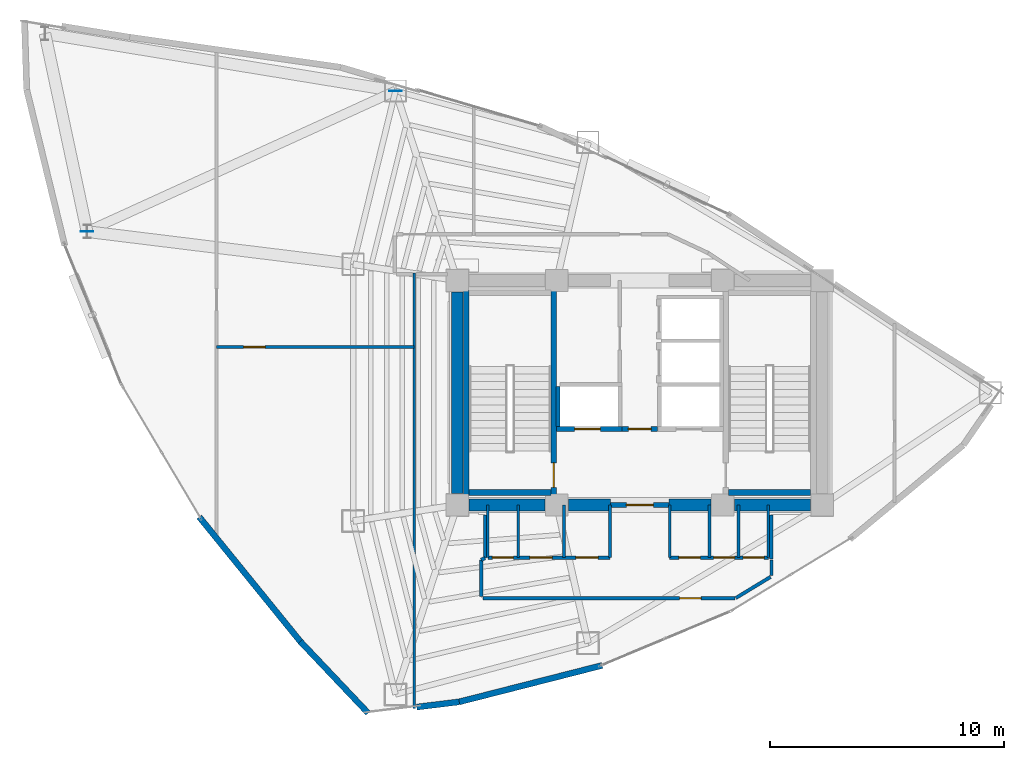
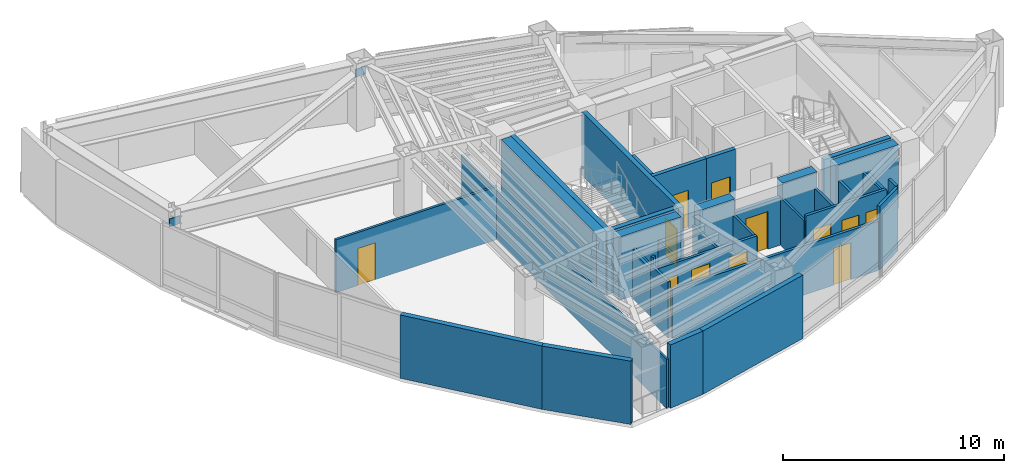
# One storey, part 12 of 16: 36 walls, 12 doors, 2 plates, 12 openings.
"""IFC4 building model written with IfcOpenShell, lengths in metres."""

from ifc_helpers import new_model, si_unit, direction, frame, frame_2d, origin, origin_2d, place, context, subcontext, project, spatial, rectangle, extrude, material, layer, layer_set, type_object, element, fill, save


model = new_model("IFC4")

# Units and contexts
model_context = context("Model", 3, precision=1e-05, world=origin(), true_north=direction((0.0, 1.0)))
body_context = subcontext(model_context, "Body", "Model", "MODEL_VIEW")
ifc_project = project(units=[si_unit("LENGTHUNIT", "METRE"), si_unit("AREAUNIT", "SQUARE_METRE"), si_unit("VOLUMEUNIT", "CUBIC_METRE"), si_unit("PLANEANGLEUNIT", "RADIAN"), si_unit("MASSUNIT", "GRAM", prefix="KILO")], contexts=[model_context])

# Site, building, storey
site_placement = place(None, origin())
site = spatial("IfcSite", under=ifc_project, at=site_placement, CompositionType="ELEMENT")
building_placement = place(site_placement, origin())
building = spatial("IfcBuilding", under=site, at=building_placement, Name="Menara Vayukalpa", CompositionType="ELEMENT")
storey_placement = place(building_placement, frame((0.0, 0.0, 195.239990234375)))
storey = spatial("IfcBuildingStorey", under=building, at=storey_placement, Name="L49", CompositionType="ELEMENT", Elevation=195.239990234375)

# Plates
ifc_material_1 = material(Name="Steel S355", Category="steel")
ifc_layer_1 = layer(ifc_material_1, 0.028076171875)
ifc_layer_set_1 = layer_set([ifc_layer_1], Name="Steel S355")
plate_type = type_object("IfcPlateType", Name="PLT-END1", PredefinedType="USERDEFINED", material=ifc_layer_set_1)
for number, where, z_axis, x_axis, name in (
    (1, (15.15478515625, 34.902587890625, 2.655029296875), (0.0, 0.0, 1.0), (1.0, 0.0, 0.0), "L49 Structural Brace End Gusset Plate 066"),
    (2, (1.96630859375, 28.889404296875, 2.655029296875), (0.0, 0.0, 1.0), (1.0, 0.0, 0.0), "L49 Structural Brace End Gusset Plate 067"),
):
    element("IfcPlate", number, at=place(storey_placement, frame(where, z_axis=z_axis, x_axis=x_axis)), inside=storey, type_object=plate_type, Name=name, ObjectType="GUSSET_PLATE", PredefinedType="USERDEFINED", context=body_context, shape_type="SweptSolid", body=[
        extrude(rectangle(XDim=0.5400390625, YDim=0.028076171875, at=origin_2d()), origin(), (0.0, 0.0, 1.0), 0.43994140625),
    ])

# Walls
ifc_material_2 = material(Name="Concrete C60/75", Category="concrete")
ifc_layer_2 = layer(ifc_material_2, 0.5)
ifc_layer_set_2 = layer_set([ifc_layer_2], Name="Concrete C60/75")
wall_type_1 = type_object("IfcWallType", Name="WAL-CW500", PredefinedType="SHEAR", material=ifc_layer_set_2)
wall_1_placement = place(storey_placement, frame((18.294921875, 17.199951171875, 0.0), z_axis=(0.0, 0.0, 1.0), x_axis=(1.0, 0.0, 0.0)))
element("IfcWall", 3, at=wall_1_placement, inside=storey, type_object=wall_type_1, Name="L49 Buttressed Core Shear Wall CWS1", PredefinedType="SHEAR", context=body_context, shape_type="SweptSolid", body=[
    extrude(rectangle(XDim=3.260009765625, YDim=0.5, at=frame_2d((1.6298828125, 0.0))), origin(), (0.0, 0.0, 1.0), 3.5),
])
wall_2_placement = place(storey_placement, frame((22.544921875, 17.199951171875, 0.0), z_axis=(0.0, 0.0, 1.0), x_axis=(1.0, 0.0, 0.0)))
element("IfcWall", 4, at=wall_2_placement, inside=storey, type_object=wall_type_1, Name="L49 Buttressed Core Shear Wall CWS2", PredefinedType="SHEAR", context=body_context, shape_type="SweptSolid", body=[
    extrude(rectangle(XDim=1.80517578125, YDim=0.5, at=frame_2d((0.902587890625, 0.0))), origin(), (0.0, 0.0, 1.0), 3.5),
])
wall_3_placement = place(storey_placement, frame((26.85009765625, 17.199951171875, 0.0), z_axis=(0.0, 0.0, 1.0), x_axis=(1.0, 0.0, 0.0)))
element("IfcWall", 5, at=wall_3_placement, inside=storey, type_object=wall_type_1, Name="L49 Buttressed Core Shear Wall CWS3", PredefinedType="SHEAR", context=body_context, shape_type="SweptSolid", body=[
    extrude(rectangle(XDim=1.804931640625, YDim=0.5, at=frame_2d((0.90234375, 0.0))), origin(), (0.0, 0.0, 1.0), 3.5),
])
wall_4_placement = place(storey_placement, frame((29.64501953125, 17.199951171875, 0.0), z_axis=(0.0, 0.0, 1.0), x_axis=(1.0, 0.0, 0.0)))
element("IfcWall", 6, at=wall_4_placement, inside=storey, type_object=wall_type_1, Name="L49 Buttressed Core Shear Wall CWS4", PredefinedType="SHEAR", context=body_context, shape_type="SweptSolid", body=[
    extrude(rectangle(XDim=3.260009765625, YDim=0.5, at=frame_2d((1.6298828125, 0.0))), origin(), (0.0, 0.0, 1.0), 3.5),
])
wall_5_placement = place(storey_placement, frame((17.800048828125, 17.695068359375, 0.0), z_axis=(0.0, 0.0, 1.0), x_axis=(0.0, 1.0, 0.0)))
element("IfcWall", 7, at=wall_5_placement, inside=storey, type_object=wall_type_1, Name="L49 Buttressed Core Shear Wall CWW1", PredefinedType="SHEAR", context=body_context, shape_type="SweptSolid", body=[
    extrude(rectangle(XDim=8.60986328125, YDim=0.5, at=frame_2d((4.304931640625, 0.0))), origin(), (0.0, 0.0, 1.0), 3.5),
])
ifc_material_3 = material(Name="Insulated Precast Concrete C40/50", Category="concrete")
ifc_layer_3 = layer(ifc_material_3, 0.260009765625)
ifc_layer_set_3 = layer_set([ifc_layer_3], Name="Insulated Precast Concrete C40/50")
wall_type_2 = type_object("IfcWallType", Name="WAL-EXT260", PredefinedType="PARTITIONING", material=ifc_layer_set_3)
wall_6_placement = place(storey_placement, frame((11.09228515625, 11.352783203125, 0.0), z_axis=(0.0, 0.0, 1.0), x_axis=(-0.630146833264, 0.77647599353, 0.0)))
element("IfcWall", 8, at=wall_6_placement, inside=storey, type_object=wall_type_2, Name="L49 Perimeter Terracotta Pier Wall 15", PredefinedType="PARTITIONING", context=body_context, shape_type="SweptSolid", body=[
    extrude(rectangle(XDim=6.8671875, YDim=0.260009765625, at=frame_2d((3.43359375, 0.0))), origin(), (0.0, 0.0, 1.0), 3.5),
])
wall_7_placement = place(storey_placement, frame((13.982177734375, 8.302978515625, 0.0), z_axis=(0.0, 0.0, 1.0), x_axis=(-0.687757504743, 0.725940503533, 0.0)))
element("IfcWall", 9, at=wall_7_placement, inside=storey, type_object=wall_type_2, Name="L49 Perimeter Terracotta Pier Wall 16", PredefinedType="PARTITIONING", context=body_context, shape_type="SweptSolid", body=[
    extrude(rectangle(XDim=4.213623046875, YDim=0.260009765625, at=frame_2d((2.10693359375, 0.0))), origin(), (0.0, 0.0, 1.0), 3.5),
])
wall_8_placement = place(storey_placement, frame((17.881591796875, 8.779296875, 0.0), z_axis=(0.0, 0.0, 1.0), x_axis=(-0.992628301661, -0.121198410642, 0.0)))
element("IfcWall", 10, at=wall_8_placement, inside=storey, type_object=wall_type_2, Name="L49 Perimeter Terracotta Pier Wall 17", PredefinedType="PARTITIONING", context=body_context, shape_type="SweptSolid", body=[
    extrude(rectangle(XDim=1.8330078125, YDim=0.260009765625, at=frame_2d((0.91650390625, 0.0))), origin(), (0.0, 0.0, 1.0), 3.5),
])
wall_9_placement = place(storey_placement, frame((23.9951171875, 10.338623046875, 0.0), z_axis=(0.0, 0.0, 1.0), x_axis=(-0.968977477196, -0.247149041446, 0.0)))
element("IfcWall", 11, at=wall_9_placement, inside=storey, type_object=wall_type_2, Name="L49 Perimeter Terracotta Pier Wall 18", PredefinedType="PARTITIONING", context=body_context, shape_type="SweptSolid", body=[
    extrude(rectangle(XDim=6.309326171875, YDim=0.260009765625, at=frame_2d((3.15478515625, 0.0))), origin(), (0.0, 0.0, 1.0), 3.5),
])
ifc_material_4 = material(Name="Lightweight Concrete Blockwork C16/20", Category="masonry")
ifc_layer_4 = layer(ifc_material_4, 0.159912109375)
ifc_layer_set_4 = layer_set([ifc_layer_4], Name="Lightweight Concrete Blockwork C16/20")
wall_type_3 = type_object("IfcWallType", Name="WAL-FR150", PredefinedType="PARTITIONING", material=ifc_layer_set_4)
wall_10_placement = place(storey_placement, frame((22.10498046875, 20.56005859375, 0.0), z_axis=(0.0, 0.0, 1.0), x_axis=(0.0, 1.0, 0.0)))
element("IfcWall", 12, at=wall_10_placement, inside=storey, type_object=wall_type_3, Name="L49 Interior Partition IW-L49-SHW-WW", PredefinedType="PARTITIONING", context=body_context, shape_type="SweptSolid", body=[
    extrude(rectangle(XDim=1.7099609375, YDim=0.159912109375, at=frame_2d((0.85498046875, 0.0))), origin(), (0.0, 0.0, 1.0), 3.5),
])

# Wall, opening, door
ifc_material_5 = material(Name="Lightweight Concrete Blockwork C16/20", Category="masonry")
ifc_layer_5 = layer(ifc_material_5, 0.199951171875)
ifc_layer_set_5 = layer_set([ifc_layer_5], Name="Lightweight Concrete Blockwork C16/20")
wall_type_4 = type_object("IfcWallType", Name="WAL-FR200", PredefinedType="PARTITIONING", material=ifc_layer_set_5)
wall_11_placement = place(storey_placement, frame((24.35009765625, 17.199951171875, 0.0), z_axis=(0.0, 0.0, 1.0), x_axis=(1.0, 0.0, 0.0)))
wall_11 = element("IfcWall", 13, at=wall_11_placement, inside=storey, type_object=wall_type_4, Name="L49 Interior Partition IW-L49-FFLS", PredefinedType="PARTITIONING", context=body_context, shape_type="SweptSolid", body=[
    extrude(rectangle(XDim=2.5, YDim=0.199951171875, at=frame_2d((1.25, 0.0))), origin(), (0.0, 0.0, 1.0), 2.630126953125),
])
opening_1_placement = place(wall_11_placement, frame((0.679931640625, 0.0, 0.0)))
opening_1 = element("IfcOpeningElement", 14, at=opening_1_placement, cuts=wall_11, Name="Opening ID2", PredefinedType="OPENING", context=body_context, shape_type="SweptSolid", body=[
    extrude(rectangle(XDim=1.14990234375, YDim=2.080078125, at=frame_2d((0.574951171875, 1.0400390625))), frame((0.0, 0.10986328125, 0.0), z_axis=(0.0, -1.0, 0.0), x_axis=(1.0, 0.0, 0.0)), (0.0, 0.0, 1.0), 0.219970703125),
])
ifc_material_6 = material(Name="Fire-Rated Powder-Coated Steel Door", Category="steel")
door_type_1 = type_object("IfcDoorType", Name="DR-FD60W", OperationType="NOTDEFINED", PredefinedType="DOOR", material=ifc_material_6)
door_1_placement = place(opening_1_placement, origin())
door_1 = element("IfcDoor", 15, at=door_1_placement, inside=storey, type_object=door_type_1, Name="L49 Interior Door DR-L49-FFLS", OperationType="SINGLE_SWING_RIGHT", OverallHeight=2.080078125, OverallWidth=1.14990234375, PredefinedType="DOOR", context=body_context, shape_type="SweptSolid", body=[
    extrude(rectangle(XDim=1.14990234375, YDim=2.080078125, at=frame_2d((0.574951171875, 1.0400390625))), frame((0.0, 0.02490234375, 0.0), z_axis=(0.0, -1.0, 0.0), x_axis=(1.0, 0.0, 0.0)), (0.0, 0.0, 1.0), 0.050048828125),
])
fill(opening_1, door_1)

wall_12_placement = place(storey_placement, frame((24.840087890625, 20.449951171875, 0.0), z_axis=(0.0, 0.0, 1.0), x_axis=(1.0, 0.0, 0.0)))
wall_12 = element("IfcWall", 16, at=wall_12_placement, inside=storey, type_object=wall_type_4, Name="L49 Interior Partition IW-L49-FFLN", PredefinedType="PARTITIONING", context=body_context, shape_type="SweptSolid", body=[
    extrude(rectangle(XDim=1.52001953125, YDim=0.199951171875, at=frame_2d((0.760009765625, 0.0))), origin(), (0.0, 0.0, 1.0), 3.5),
])
opening_2_placement = place(wall_12_placement, frame((0.27001953125, 0.0, 0.0)))
opening_2 = element("IfcOpeningElement", 17, at=opening_2_placement, cuts=wall_12, Name="Opening ID3", PredefinedType="OPENING", context=body_context, shape_type="SweptSolid", body=[
    extrude(rectangle(XDim=0.97998046875, YDim=2.06005859375, at=frame_2d((0.489990234375, 1.030029296875))), frame((0.0, 0.10986328125, 0.0), z_axis=(0.0, -1.0, 0.0), x_axis=(1.0, 0.0, 0.0)), (0.0, 0.0, 1.0), 0.219970703125),
])
ifc_material_7 = material(Name="Fire-Rated Powder-Coated Steel Door", Category="steel")
door_type_2 = type_object("IfcDoorType", Name="DR-FD60", OperationType="NOTDEFINED", PredefinedType="DOOR", material=ifc_material_7)
door_2_placement = place(opening_2_placement, origin())
door_2 = element("IfcDoor", 18, at=door_2_placement, inside=storey, type_object=door_type_2, Name="L49 Interior Door DR-L49-FFLN", OperationType="SINGLE_SWING_LEFT", OverallHeight=2.06005859375, OverallWidth=0.97998046875, PredefinedType="DOOR", context=body_context, shape_type="SweptSolid", body=[
    extrude(rectangle(XDim=0.97998046875, YDim=2.06005859375, at=frame_2d((0.489990234375, 1.030029296875))), frame((0.0, 0.02490234375, 0.0), z_axis=(0.0, -1.0, 0.0), x_axis=(1.0, 0.0, 0.0)), (0.0, 0.0, 1.0), 0.050048828125),
])
fill(opening_2, door_2)

wall_13_placement = place(storey_placement, frame((22.030029296875, 20.449951171875, 0.0), z_axis=(0.0, 0.0, 1.0), x_axis=(1.0, 0.0, 0.0)))
wall_13 = element("IfcWall", 19, at=wall_13_placement, inside=storey, type_object=wall_type_4, Name="L49 Interior Partition IW-L49-SH-W1", PredefinedType="PARTITIONING", context=body_context, shape_type="SweptSolid", body=[
    extrude(rectangle(XDim=2.800048828125, YDim=0.199951171875, at=frame_2d((1.39990234375, 0.0))), origin(), (0.0, 0.0, 1.0), 3.5),
])
opening_3_placement = place(wall_13_placement, frame((0.780029296875, 0.0, 0.0)))
opening_3 = element("IfcOpeningElement", 20, at=opening_3_placement, cuts=wall_13, Name="Opening LD1", PredefinedType="OPENING", context=body_context, shape_type="SweptSolid", body=[
    extrude(rectangle(XDim=1.10009765625, YDim=2.080078125, at=frame_2d((0.550048828125, 1.0400390625))), frame((0.0, 0.10986328125, 0.0), z_axis=(0.0, -1.0, 0.0), x_axis=(1.0, 0.0, 0.0)), (0.0, 0.0, 1.0), 0.219970703125),
])
ifc_material_8 = material(Name="Brushed Stainless Steel 316 Lift Door", Category="steel")
door_type_3 = type_object("IfcDoorType", Name="DR-LD110", OperationType="NOTDEFINED", PredefinedType="DOOR", material=ifc_material_8)
door_3_placement = place(opening_3_placement, origin())
door_3 = element("IfcDoor", 21, at=door_3_placement, inside=storey, type_object=door_type_3, Name="L49 Interior Door DR-L49-LD-W1", OperationType="DOUBLE_DOOR_SLIDING", OverallHeight=2.080078125, OverallWidth=1.10009765625, PredefinedType="DOOR", context=body_context, shape_type="SweptSolid", body=[
    extrude(rectangle(XDim=1.10009765625, YDim=2.080078125, at=frame_2d((0.550048828125, 1.0400390625))), frame((0.0, 0.02490234375, 0.0), z_axis=(0.0, -1.0, 0.0), x_axis=(1.0, 0.0, 0.0)), (0.0, 0.0, 1.0), 0.050048828125),
])
fill(opening_3, door_3)

# Walls
ifc_material_9 = material(Name="Glazed Demountable Office Partition", Category="glass")
ifc_layer_6 = layer(ifc_material_9, 0.094970703125)
ifc_layer_set_6 = layer_set([ifc_layer_6], Name="Glazed Demountable Office Partition")
wall_type_5 = type_object("IfcWallType", Name="WAL-PT100", PredefinedType="PARTITIONING", material=ifc_layer_set_6)
wall_14_placement = place(storey_placement, frame((15.9541015625, 8.503662109375, 0.0), z_axis=(0.0, 0.0, 1.0), x_axis=(0.0, 1.0, 0.0)))
element("IfcWall", 22, at=wall_14_placement, inside=storey, type_object=wall_type_5, Name="L49 Interior Partition IW-L49-RDIV04", PredefinedType="PARTITIONING", context=body_context, shape_type="SweptSolid", body=[
    extrude(rectangle(XDim=18.616455078125, YDim=0.094970703125, at=frame_2d((9.30810546875, 0.0))), origin(), (0.0, 0.0, 1.0), 2.72998046875),
])
ifc_material_10 = material(Name="Acoustic Mineral Stud Partition", Category="masonry")
ifc_layer_7 = layer(ifc_material_10, 0.110107421875)
ifc_layer_set_7 = layer_set([ifc_layer_7], Name="Acoustic Mineral Stud Partition")
wall_type_6 = type_object("IfcWallType", Name="WAL-PT110", PredefinedType="PARTITIONING", material=ifc_layer_set_7)
for number, where, z_axis, x_axis, name in (
    (23, (20.39990234375, 14.949951171875, 0.0), (0.0, 0.0, 1.0), (0.0, 1.0, 0.0), "L49 Interior Partition IW-L49-SVCD-02"),
    (24, (26.8798828125, 14.949951171875, 0.0), (0.0, 0.0, 1.0), (0.0, 1.0, 0.0), "L49 Interior Partition IW-L49-SVCD-05"),
    (25, (31.10009765625, 14.949951171875, 0.0), (0.0, 0.0, 1.0), (0.0, 1.0, 0.0), "L49 Interior Partition IW-L49-SVCD-08"),
):
    element("IfcWall", number, at=place(storey_placement, frame(where, z_axis=z_axis, x_axis=x_axis)), inside=storey, type_object=wall_type_6, Name=name, PredefinedType="PARTITIONING", context=body_context, shape_type="SweptSolid", body=[
        extrude(rectangle(XDim=2.25, YDim=0.110107421875, at=frame_2d((1.125, 0.0))), origin(), (0.0, 0.0, 1.0), 2.630126953125),
    ])
ifc_material_11 = material(Name="Gypsum Drywall Steel Stud Assembly", Category="steel")
ifc_layer_8 = layer(ifc_material_11, 0.125)
ifc_layer_set_8 = layer_set([ifc_layer_8], Name="Gypsum Drywall Steel Stud Assembly")
wall_type_7 = type_object("IfcWallType", Name="WAL-PT125", PredefinedType="PARTITIONING", material=ifc_layer_set_8)
for number, where, z_axis, x_axis, name in (
    (26, (19.10009765625, 14.949951171875, 0.0), (0.0, 0.0, 1.0), (0.0, 1.0, 0.0), "L49 Interior Partition IW-L49-SVCD-01"),
    (27, (22.360107421875, 14.949951171875, 0.0), (0.0, 0.0, 1.0), (0.0, 1.0, 0.0), "L49 Interior Partition IW-L49-SVCD-03"),
    (28, (24.320068359375, 14.949951171875, 0.0), (0.0, 0.0, 1.0), (0.0, 1.0, 0.0), "L49 Interior Partition IW-L49-SVCD-04"),
    (29, (28.590087890625, 14.949951171875, 0.0), (0.0, 0.0, 1.0), (0.0, 1.0, 0.0), "L49 Interior Partition IW-L49-SVCD-06"),
    (30, (29.830078125, 14.949951171875, 0.0), (0.0, 0.0, 1.0), (0.0, 1.0, 0.0), "L49 Interior Partition IW-L49-SVCD-07"),
):
    element("IfcWall", number, at=place(storey_placement, frame(where, z_axis=z_axis, x_axis=x_axis)), inside=storey, type_object=wall_type_7, Name=name, PredefinedType="PARTITIONING", context=body_context, shape_type="SweptSolid", body=[
        extrude(rectangle(XDim=2.25, YDim=0.125, at=frame_2d((1.125, 0.0))), origin(), (0.0, 0.0, 1.0), 2.630126953125),
    ])

# Wall, opening, door
wall_15_placement = place(storey_placement, frame((7.510009765625, 23.953125, 0.0), z_axis=(0.0, 0.0, 1.0), x_axis=(1.0, 0.0, 0.0)))
wall_15 = element("IfcWall", 31, at=wall_15_placement, inside=storey, type_object=wall_type_7, Name="L49 Interior Partition IW-L49-RDIV05", PredefinedType="PARTITIONING", context=body_context, shape_type="SweptSolid", body=[
    extrude(rectangle(XDim=8.43408203125, YDim=0.125, at=frame_2d((4.217041015625, 0.0))), origin(), (0.0, 0.0, 1.0), 2.929931640625),
])
opening_4_placement = place(wall_15_placement, frame((1.1494140625, 0.0, 0.0)))
opening_4 = element("IfcOpeningElement", 32, at=opening_4_placement, cuts=wall_15, Name="Opening ID6", PredefinedType="OPENING", context=body_context, shape_type="SweptSolid", body=[
    extrude(rectangle(XDim=0.919921875, YDim=2.050048828125, at=frame_2d((0.4599609375, 1.02490234375))), frame((0.0, 0.072509765625, 0.0), z_axis=(0.0, -1.0, 0.0), x_axis=(1.0, 0.0, 0.0)), (0.0, 0.0, 1.0), 0.14501953125),
])
ifc_material_12 = material(Name="Acoustic Hardwood Veneer Timber Door", Category="wood")
door_type_4 = type_object("IfcDoorType", Name="DR-INT92", OperationType="NOTDEFINED", PredefinedType="DOOR", material=ifc_material_12)
door_4_placement = place(opening_4_placement, origin())
door_4 = element("IfcDoor", 33, at=door_4_placement, inside=storey, type_object=door_type_4, Name="L49 Interior Door DR-L49-STE01", OperationType="SINGLE_SWING_RIGHT", OverallHeight=2.050048828125, OverallWidth=0.919921875, PredefinedType="DOOR", context=body_context, shape_type="SweptSolid", body=[
    extrude(rectangle(XDim=0.919921875, YDim=2.050048828125, at=frame_2d((0.4599609375, 1.02490234375))), frame((0.0, 0.02490234375, 0.0), z_axis=(0.0, -1.0, 0.0), x_axis=(1.0, 0.0, 0.0)), (0.0, 0.0, 1.0), 0.050048828125),
])
fill(opening_4, door_4)

# Wall, openings, doors
ifc_material_13 = material(Name="Gypsum Drywall Acoustic Stud Assembly", Category="masonry")
ifc_layer_9 = layer(ifc_material_13, 0.14501953125)
ifc_layer_set_9 = layer_set([ifc_layer_9], Name="Gypsum Drywall Acoustic Stud Assembly")
wall_type_8 = type_object("IfcWallType", Name="WAL-PT150", PredefinedType="PARTITIONING", material=ifc_layer_set_9)
wall_16_placement = place(storey_placement, frame((19.10009765625, 14.949951171875, 0.0), z_axis=(0.0, 0.0, 1.0), x_axis=(1.0, 0.0, 0.0)))
wall_16 = element("IfcWall", 34, at=wall_16_placement, inside=storey, type_object=wall_type_8, Name="L49 Interior Partition IW-L49-SVCS-W", PredefinedType="PARTITIONING", context=body_context, shape_type="SweptSolid", body=[
    extrude(rectangle(XDim=5.219970703125, YDim=0.14501953125, at=frame_2d((2.60986328125, 0.0))), origin(), (0.0, 0.0, 1.0), 2.72998046875),
])
opening_5_placement = place(wall_16_placement, frame((0.199951171875, 0.0, 0.0)))
opening_5 = element("IfcOpeningElement", 35, at=opening_5_placement, cuts=wall_16, Name="Opening ID7", PredefinedType="OPENING", context=body_context, shape_type="SweptSolid", body=[
    extrude(rectangle(XDim=0.89990234375, YDim=2.02001953125, at=frame_2d((0.449951171875, 1.010009765625))), frame((0.0, 0.08251953125, 0.0), z_axis=(0.0, -1.0, 0.0), x_axis=(1.0, 0.0, 0.0)), (0.0, 0.0, 1.0), 0.1650390625),
])
opening_6_placement = place(wall_16_placement, frame((1.804931640625, 0.0, 0.0)))
opening_6 = element("IfcOpeningElement", 36, at=opening_6_placement, cuts=wall_16, Name="Opening ID5", PredefinedType="OPENING", context=body_context, shape_type="SweptSolid", body=[
    extrude(rectangle(XDim=0.949951171875, YDim=2.06005859375, at=frame_2d((0.47509765625, 1.030029296875))), frame((0.0, 0.08251953125, 0.0), z_axis=(0.0, -1.0, 0.0), x_axis=(1.0, 0.0, 0.0)), (0.0, 0.0, 1.0), 0.1650390625),
])
opening_7_placement = place(wall_16_placement, frame((3.764892578125, 0.0, 0.0)))
opening_7 = element("IfcOpeningElement", 37, at=opening_7_placement, cuts=wall_16, Name="Opening ID5", PredefinedType="OPENING", context=body_context, shape_type="SweptSolid", body=[
    extrude(rectangle(XDim=0.949951171875, YDim=2.06005859375, at=frame_2d((0.47509765625, 1.030029296875))), frame((0.0, 0.08251953125, 0.0), z_axis=(0.0, -1.0, 0.0), x_axis=(1.0, 0.0, 0.0)), (0.0, 0.0, 1.0), 0.1650390625),
])
ifc_material_14 = material(Name="Acoustic Hardwood Veneer Timber Door", Category="wood")
door_type_5 = type_object("IfcDoorType", Name="DR-INT95", OperationType="NOTDEFINED", PredefinedType="DOOR", material=ifc_material_14)
door_5_placement = place(opening_6_placement, origin())
door_5 = element("IfcDoor", 38, at=door_5_placement, inside=storey, type_object=door_type_5, Name="L49 Interior Door DR-L49-AWC", OperationType="SINGLE_SWING_RIGHT", OverallHeight=2.06005859375, OverallWidth=0.949951171875, PredefinedType="DOOR", context=body_context, shape_type="SweptSolid", body=[
    extrude(rectangle(XDim=0.949951171875, YDim=2.06005859375, at=frame_2d((0.47509765625, 1.030029296875))), frame((0.0, 0.02490234375, 0.0), z_axis=(0.0, -1.0, 0.0), x_axis=(1.0, 0.0, 0.0)), (0.0, 0.0, 1.0), 0.050048828125),
])
fill(opening_6, door_5)
door_6_placement = place(opening_7_placement, origin())
door_6 = element("IfcDoor", 39, at=door_6_placement, inside=storey, type_object=door_type_5, Name="L49 Interior Door DR-L49-SWC", OperationType="SINGLE_SWING_LEFT", OverallHeight=2.06005859375, OverallWidth=0.949951171875, PredefinedType="DOOR", context=body_context, shape_type="SweptSolid", body=[
    extrude(rectangle(XDim=0.949951171875, YDim=2.06005859375, at=frame_2d((0.47509765625, 1.030029296875))), frame((0.0, 0.02490234375, 0.0), z_axis=(0.0, -1.0, 0.0), x_axis=(1.0, 0.0, 0.0)), (0.0, 0.0, 1.0), 0.050048828125),
])
fill(opening_7, door_6)
ifc_material_15 = material(Name="Powder-Coated Steel Riser Access Door", Category="steel")
door_type_6 = type_object("IfcDoorType", Name="DR-RISER", OperationType="NOTDEFINED", PredefinedType="DOOR", material=ifc_material_15)
door_7_placement = place(opening_5_placement, origin())
door_7 = element("IfcDoor", 40, at=door_7_placement, inside=storey, type_object=door_type_6, Name="L49 Interior Door DR-L49-ELR", OperationType="SINGLE_SWING_LEFT", OverallHeight=2.02001953125, OverallWidth=0.89990234375, PredefinedType="DOOR", context=body_context, shape_type="SweptSolid", body=[
    extrude(rectangle(XDim=0.89990234375, YDim=2.02001953125, at=frame_2d((0.449951171875, 1.010009765625))), frame((0.0, 0.02490234375, 0.0), z_axis=(0.0, -1.0, 0.0), x_axis=(1.0, 0.0, 0.0)), (0.0, 0.0, 1.0), 0.050048828125),
])
fill(opening_5, door_7)

wall_17_placement = place(storey_placement, frame((26.8798828125, 14.949951171875, 0.0), z_axis=(0.0, 0.0, 1.0), x_axis=(1.0, 0.0, 0.0)))
wall_17 = element("IfcWall", 41, at=wall_17_placement, inside=storey, type_object=wall_type_8, Name="L49 Interior Partition IW-L49-SVCS-E", PredefinedType="PARTITIONING", context=body_context, shape_type="SweptSolid", body=[
    extrude(rectangle(XDim=4.22021484375, YDim=0.14501953125, at=frame_2d((2.110107421875, 0.0))), origin(), (0.0, 0.0, 1.0), 2.929931640625),
])
opening_8_placement = place(wall_17_placement, frame((0.389892578125, 0.0, 0.0)))
opening_8 = element("IfcOpeningElement", 42, at=opening_8_placement, cuts=wall_17, Name="Opening ID6", PredefinedType="OPENING", context=body_context, shape_type="SweptSolid", body=[
    extrude(rectangle(XDim=0.919921875, YDim=2.050048828125, at=frame_2d((0.4599609375, 1.02490234375))), frame((0.0, 0.08251953125, 0.0), z_axis=(0.0, -1.0, 0.0), x_axis=(1.0, 0.0, 0.0)), (0.0, 0.0, 1.0), 0.1650390625),
])
opening_9_placement = place(wall_17_placement, frame((1.8798828125, 0.0, 0.0)))
opening_9 = element("IfcOpeningElement", 43, at=opening_9_placement, cuts=wall_17, Name="Opening ID7", PredefinedType="OPENING", context=body_context, shape_type="SweptSolid", body=[
    extrude(rectangle(XDim=0.89990234375, YDim=2.02001953125, at=frame_2d((0.449951171875, 1.010009765625))), frame((0.0, 0.08251953125, 0.0), z_axis=(0.0, -1.0, 0.0), x_axis=(1.0, 0.0, 0.0)), (0.0, 0.0, 1.0), 0.1650390625),
])
opening_10_placement = place(wall_17_placement, frame((3.139892578125, 0.0, 0.0)))
opening_10 = element("IfcOpeningElement", 44, at=opening_10_placement, cuts=wall_17, Name="Opening ID7", PredefinedType="OPENING", context=body_context, shape_type="SweptSolid", body=[
    extrude(rectangle(XDim=0.89990234375, YDim=2.02001953125, at=frame_2d((0.449951171875, 1.010009765625))), frame((0.0, 0.08251953125, 0.0), z_axis=(0.0, -1.0, 0.0), x_axis=(1.0, 0.0, 0.0)), (0.0, 0.0, 1.0), 0.1650390625),
])
door_8_placement = place(opening_8_placement, origin())
door_8 = element("IfcDoor", 45, at=door_8_placement, inside=storey, type_object=door_type_4, Name="L49 Interior Door DR-L49-KSV1", OperationType="SINGLE_SWING_RIGHT", OverallHeight=2.050048828125, OverallWidth=0.919921875, PredefinedType="DOOR", context=body_context, shape_type="SweptSolid", body=[
    extrude(rectangle(XDim=0.919921875, YDim=2.050048828125, at=frame_2d((0.4599609375, 1.02490234375))), frame((0.0, 0.02490234375, 0.0), z_axis=(0.0, -1.0, 0.0), x_axis=(1.0, 0.0, 0.0)), (0.0, 0.0, 1.0), 0.050048828125),
])
fill(opening_8, door_8)
door_9_placement = place(opening_9_placement, origin())
door_9 = element("IfcDoor", 46, at=door_9_placement, inside=storey, type_object=door_type_6, Name="L49 Interior Door DR-L49-KSV2", OperationType="SINGLE_SWING_LEFT", OverallHeight=2.02001953125, OverallWidth=0.89990234375, PredefinedType="DOOR", context=body_context, shape_type="SweptSolid", body=[
    extrude(rectangle(XDim=0.89990234375, YDim=2.02001953125, at=frame_2d((0.449951171875, 1.010009765625))), frame((0.0, 0.02490234375, 0.0), z_axis=(0.0, -1.0, 0.0), x_axis=(1.0, 0.0, 0.0)), (0.0, 0.0, 1.0), 0.050048828125),
])
fill(opening_9, door_9)
door_10_placement = place(opening_10_placement, origin())
door_10 = element("IfcDoor", 47, at=door_10_placement, inside=storey, type_object=door_type_6, Name="L49 Interior Door DR-L49-SMD", OperationType="SINGLE_SWING_RIGHT", OverallHeight=2.02001953125, OverallWidth=0.89990234375, PredefinedType="DOOR", context=body_context, shape_type="SweptSolid", body=[
    extrude(rectangle(XDim=0.89990234375, YDim=2.02001953125, at=frame_2d((0.449951171875, 1.010009765625))), frame((0.0, 0.02490234375, 0.0), z_axis=(0.0, -1.0, 0.0), x_axis=(1.0, 0.0, 0.0)), (0.0, 0.0, 1.0), 0.050048828125),
])
fill(opening_10, door_10)

# Walls
wall_18_placement = place(storey_placement, frame((18.97998046875, 16.780029296875, 0.0), z_axis=(0.0, 0.0, 1.0), x_axis=(0.0, -1.0, 0.0)))
element("IfcWall", 48, at=wall_18_placement, inside=storey, type_object=wall_type_8, Name="L49 Interior Partition IW-L49-CRM02-2", PredefinedType="PARTITIONING", context=body_context, shape_type="SweptSolid", body=[
    extrude(rectangle(XDim=1.85009765625, YDim=0.14501953125, at=frame_2d((0.925048828125, 0.0))), origin(), (0.0, 0.0, 1.0), 2.630126953125),
])
wall_19_placement = place(storey_placement, frame((18.820068359375, 14.85009765625, 0.0), z_axis=(0.0, 0.0, 1.0), x_axis=(0.0, -1.0, 0.0)))
element("IfcWall", 49, at=wall_19_placement, inside=storey, type_object=wall_type_8, Name="L49 Interior Partition IW-L49-CRM02-3", PredefinedType="PARTITIONING", context=body_context, shape_type="SweptSolid", body=[
    extrude(rectangle(XDim=1.56005859375, YDim=0.14501953125, at=frame_2d((0.780029296875, 0.0))), origin(), (0.0, 0.0, 1.0), 3.080078125),
])

# Wall, opening, door
wall_20_placement = place(storey_placement, frame((18.89990234375, 13.2099609375, 0.0), z_axis=(0.0, 0.0, 1.0), x_axis=(1.0, 0.0, 0.0)))
wall_20 = element("IfcWall", 50, at=wall_20_placement, inside=storey, type_object=wall_type_8, Name="L49 Interior Partition IW-L49-CRM02-4", PredefinedType="PARTITIONING", context=body_context, shape_type="SweptSolid", body=[
    extrude(rectangle(XDim=10.767578125, YDim=0.14501953125, at=frame_2d((5.3837890625, 0.0))), origin(), (0.0, 0.0, 1.0), 2.72998046875),
])
opening_11_placement = place(wall_20_placement, frame((8.406494140625, 0.0, 0.0)))
opening_11 = element("IfcOpeningElement", 51, at=opening_11_placement, cuts=wall_20, Name="Opening ID6", PredefinedType="OPENING", context=body_context, shape_type="SweptSolid", body=[
    extrude(rectangle(XDim=0.919921875, YDim=2.050048828125, at=frame_2d((0.4599609375, 1.02490234375))), frame((0.0, 0.08251953125, 0.0), z_axis=(0.0, -1.0, 0.0), x_axis=(1.0, 0.0, 0.0)), (0.0, 0.0, 1.0), 0.1650390625),
])
door_11_placement = place(opening_11_placement, origin())
door_11 = element("IfcDoor", 52, at=door_11_placement, inside=storey, type_object=door_type_4, Name="L49 Interior Door DR-L49-RM02", OperationType="SINGLE_SWING_LEFT", OverallHeight=2.050048828125, OverallWidth=0.919921875, PredefinedType="DOOR", context=body_context, shape_type="SweptSolid", body=[
    extrude(rectangle(XDim=0.919921875, YDim=2.050048828125, at=frame_2d((0.4599609375, 1.02490234375))), frame((0.0, 0.02490234375, 0.0), z_axis=(0.0, -1.0, 0.0), x_axis=(1.0, 0.0, 0.0)), (0.0, 0.0, 1.0), 0.050048828125),
])
fill(opening_11, door_11)

# Walls
wall_21_placement = place(storey_placement, frame((29.708984375, 13.2216796875, 0.0), z_axis=(0.0, 0.0, 1.0), x_axis=(0.854635840942, 0.519227868451, 0.0)))
element("IfcWall", 53, at=wall_21_placement, inside=storey, type_object=wall_type_8, Name="L49 Interior Partition IW-L49-CRM02-5", PredefinedType="PARTITIONING", context=body_context, shape_type="SweptSolid", body=[
    extrude(rectangle(XDim=1.734619140625, YDim=0.14501953125, at=frame_2d((0.8671875, 0.0))), origin(), (0.0, 0.0, 1.0), 3.5),
])
wall_22_placement = place(storey_placement, frame((31.22998046875, 14.190673828125, 0.0), z_axis=(0.0, 0.0, 1.0), x_axis=(0.0, 1.0, 0.0)))
element("IfcWall", 54, at=wall_22_placement, inside=storey, type_object=wall_type_8, Name="L49 Interior Partition IW-L49-CRM02-6", PredefinedType="PARTITIONING", context=body_context, shape_type="SweptSolid", body=[
    extrude(rectangle(XDim=0.659423828125, YDim=0.14501953125, at=frame_2d((0.32958984375, 0.0))), origin(), (0.0, 0.0, 1.0), 3.5),
])
wall_23_placement = place(storey_placement, frame((31.219970703125, 14.888671875, 0.0), z_axis=(0.0, 0.0, 1.0), x_axis=(0.0, 1.0, 0.0)))
element("IfcWall", 55, at=wall_23_placement, inside=storey, type_object=wall_type_8, Name="L49 Interior Partition IW-L49-CRM02-7", PredefinedType="PARTITIONING", context=body_context, shape_type="SweptSolid", body=[
    extrude(rectangle(XDim=1.891357421875, YDim=0.14501953125, at=frame_2d((0.94580078125, 0.0))), origin(), (0.0, 0.0, 1.0), 2.630126953125),
])
wall_24_placement = place(storey_placement, frame((18.820068359375, 14.85009765625, 0.0), z_axis=(0.0, 0.0, 1.0), x_axis=(0.89470021502, 0.446667130247, 0.0)))
element("IfcWall", 56, at=wall_24_placement, inside=storey, type_object=wall_type_8, Name="L49 Interior Partition IW-L49-CRM02-3-R0", PredefinedType="PARTITIONING", context=body_context, shape_type="SweptSolid", body=[
    extrude(rectangle(XDim=0.1787109375, YDim=0.14501953125, at=frame_2d((0.08935546875, 0.0))), origin(), (0.0, 0.0, 1.0), 3.5),
])
ifc_material_16 = material(Name="Concrete C50/60", Category="concrete")
ifc_layer_10 = layer(ifc_material_16, 0.25)
ifc_layer_set_10 = layer_set([ifc_layer_10], Name="Concrete C50/60")
wall_type_9 = type_object("IfcWallType", Name="WAL-SW250", PredefinedType="SHEAR", material=ifc_layer_set_10)
wall_25_placement = place(storey_placement, frame((18.178955078125, 17.60009765625, 0.0), z_axis=(0.0, 0.0, 1.0), x_axis=(0.0, 1.0, 0.0)))
element("IfcWall", 57, at=wall_25_placement, inside=storey, type_object=wall_type_9, Name="L49 ST1 Structural Stair Shaft Wall W", PredefinedType="SHEAR", context=body_context, shape_type="SweptSolid", body=[
    extrude(rectangle(XDim=8.7998046875, YDim=0.25, at=frame_2d((4.39990234375, 0.0))), origin(), (0.0, 0.0, 1.0), 3.5),
])

# Wall, opening, door
wall_26_placement = place(storey_placement, frame((21.925048828125, 17.60009765625, 0.0), z_axis=(0.0, 0.0, 1.0), x_axis=(0.0, 1.0, 0.0)))
wall_26 = element("IfcWall", 58, at=wall_26_placement, inside=storey, type_object=wall_type_9, Name="L49 ST1 Structural Stair Shaft Wall E", PredefinedType="SHEAR", context=body_context, shape_type="SweptSolid", body=[
    extrude(rectangle(XDim=8.7998046875, YDim=0.25, at=frame_2d((4.39990234375, 0.0))), origin(), (0.0, 0.0, 1.0), 3.5),
])
opening_12_placement = place(wall_26_placement, frame((0.35009765625, 0.0, 0.0)))
opening_12 = element("IfcOpeningElement", 59, at=opening_12_placement, cuts=wall_26, Name="Opening ID1", PredefinedType="OPENING", context=body_context, shape_type="SweptSolid", body=[
    extrude(rectangle(XDim=1.050048828125, YDim=2.080078125, at=frame_2d((0.52490234375, 1.0400390625))), frame((0.0, 0.135009765625, 0.0), z_axis=(0.0, -1.0, 0.0), x_axis=(1.0, 0.0, 0.0)), (0.0, 0.0, 1.0), 0.27001953125),
])
ifc_material_17 = material(Name="Fire-Rated Powder-Coated Steel Door", Category="steel")
door_type_7 = type_object("IfcDoorType", Name="DR-FD120", OperationType="NOTDEFINED", PredefinedType="DOOR", material=ifc_material_17)
door_12_placement = place(opening_12_placement, origin())
door_12 = element("IfcDoor", 60, at=door_12_placement, inside=storey, type_object=door_type_7, Name="L49 Stair Exit Door DR-L49-ST1", OperationType="SINGLE_SWING_LEFT", OverallHeight=2.080078125, OverallWidth=1.050048828125, PredefinedType="DOOR", context=body_context, shape_type="SweptSolid", body=[
    extrude(rectangle(XDim=1.050048828125, YDim=2.080078125, at=frame_2d((0.52490234375, 1.0400390625))), frame((0.0, 0.02490234375, 0.0), z_axis=(0.0, -1.0, 0.0), x_axis=(1.0, 0.0, 0.0)), (0.0, 0.0, 1.0), 0.050048828125),
])
fill(opening_12, door_12)

# Walls
for number, where, z_axis, x_axis, name in (
    (61, (18.303955078125, 17.72509765625, 0.0), (0.0, 0.0, 1.0), (1.0, 0.0, 0.0), "L49 ST1 Structural Stair Shaft Wall S"),
    (62, (29.39990234375, 17.72509765625, 0.0), (0.0, 0.0, 1.0), (1.0, 0.0, 0.0), "L49 ST2 Structural Stair Shaft Wall S"),
):
    element("IfcWall", number, at=place(storey_placement, frame(where, z_axis=z_axis, x_axis=x_axis)), inside=storey, type_object=wall_type_9, Name=name, PredefinedType="SHEAR", context=body_context, shape_type="SweptSolid", body=[
        extrude(rectangle(XDim=3.49609375, YDim=0.25, at=frame_2d((1.748046875, 0.0))), origin(), (0.0, 0.0, 1.0), 3.5),
    ])

save(model, "model.ifc")
